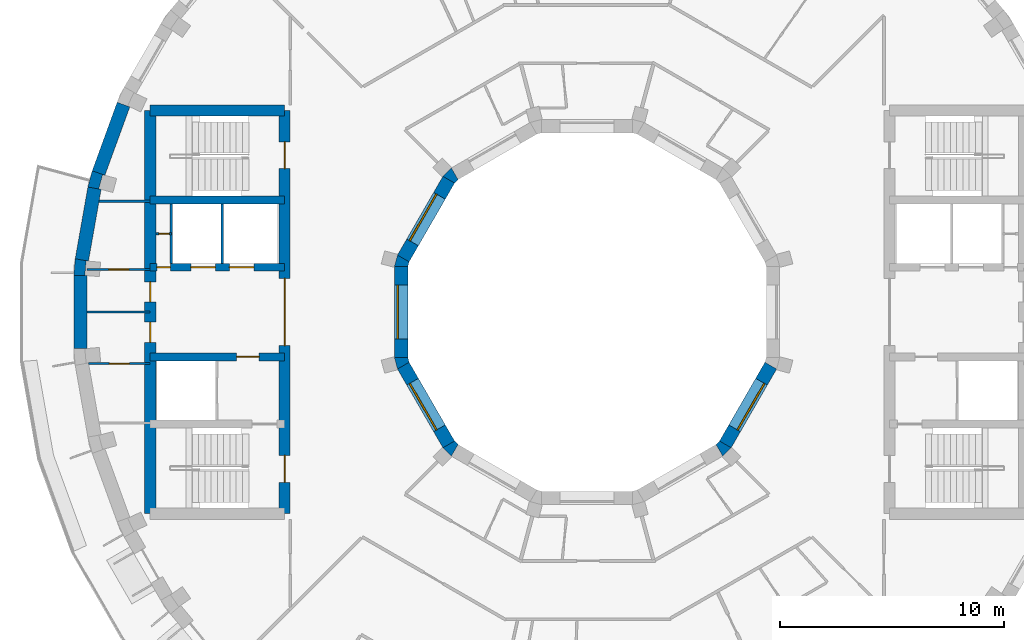
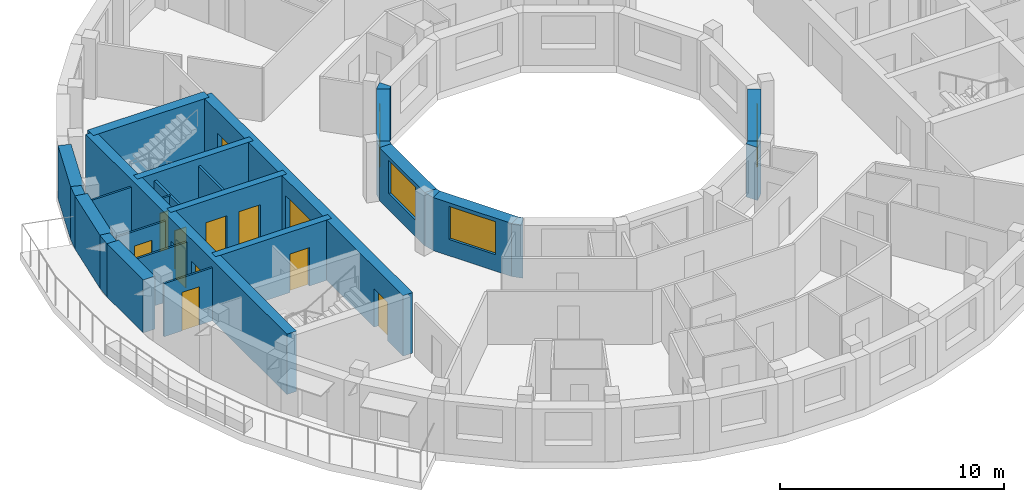
# One storey, part 4 of 10: 27 walls, 12 doors, 4 windows, 16 openings.
"""IFC4 building model written with IfcOpenShell, lengths in metres."""

from ifc_helpers import new_model, si_unit, direction, frame, frame_2d, origin, place, context, subcontext, project, spatial, polyline, rectangle, outline, extrude, material, layer, layer_set, type_object, element, fill, save


model = new_model("IFC4")

# Units and contexts
model_context = context("Model", 3, precision=1e-05, world=origin(), true_north=direction((0.0, 1.0)))
body_context = subcontext(model_context, "Body", "Model", "MODEL_VIEW")
ifc_project = project(units=[si_unit("LENGTHUNIT", "METRE"), si_unit("AREAUNIT", "SQUARE_METRE"), si_unit("VOLUMEUNIT", "CUBIC_METRE"), si_unit("PLANEANGLEUNIT", "RADIAN"), si_unit("MASSUNIT", "GRAM", prefix="KILO")], contexts=[model_context])

# Site, building, storey
site_placement = place(None, origin())
site = spatial("IfcSite", under=ifc_project, at=site_placement, CompositionType="ELEMENT")
building_placement = place(site_placement, origin())
building = spatial("IfcBuilding", under=site, at=building_placement, Name="Saqina Gate Tower", CompositionType="ELEMENT")
storey_placement = place(building_placement, frame((0.0, 0.0, 249.5)))
storey = spatial("IfcBuildingStorey", under=building, at=storey_placement, Name="L71", CompositionType="ELEMENT", Elevation=249.5)

# Walls
ifc_material_1 = material(Name="Brick masonry (buff)", Category="masonry")
wall_type_1 = type_object("IfcWallType", Name="BRICK PIER COPING BUFF", PredefinedType="SOLIDWALL", material=ifc_material_1)
wall_1_placement = place(storey_placement, origin())
element("IfcWall", 1, at=wall_1_placement, inside=storey, type_object=wall_type_1, Name="Pier cap L71 column 17", PredefinedType="SOLIDWALL", context=body_context, shape_type="SweptSolid", body=[
    extrude(outline(polyline([(-22.281982421875, 5.579833984375), (-21.691162109375, 5.4755859375), (-21.793212890625, 5.5029296875), (-21.625, 6.130859375), (-21.52294921875, 6.103515625), (-22.0869140625, 6.30859375), (-22.281982421875, 5.579833984375)])), origin(), (0.0, 0.0, 1.0), 2.89990234375),
])
wall_2_placement = place(storey_placement, origin())
element("IfcWall", 2, at=wall_2_placement, inside=storey, type_object=wall_type_1, Name="Pier cap L71 column 18", PredefinedType="SOLIDWALL", context=body_context, shape_type="SweptSolid", body=[
    extrude(outline(polyline([(-22.8466796875, 2.377685546875), (-22.91259765625, 1.625732421875), (-22.3125, 1.625732421875), (-22.417724609375, 1.635009765625), (-22.361083984375, 2.28271484375), (-22.255859375, 2.2734375), (-22.8466796875, 2.377685546875)])), origin(), (0.0, 0.0, 1.0), 2.89990234375),
])

# Wall, opening, door
ifc_material_2 = material(Name="Gypsum board on steel studs", Category="steel")
ifc_layer_1 = layer(ifc_material_2, 0.10009765625)
ifc_layer_set_1 = layer_set([ifc_layer_1], Name="CORE PARTITION")
wall_type_2 = type_object("IfcWallType", Name="CORE PARTITION", PredefinedType="PARTITIONING", material=ifc_layer_set_1)
wall_3_placement = place(storey_placement, frame((-18.56005859375, 3.5, 0.0), z_axis=(0.0, 0.0, 1.0), x_axis=(-1.0, 0.0, 0.0)))
wall_3 = element("IfcWall", 3, at=wall_3_placement, inside=storey, type_object=wall_type_2, Name="L71-CP-W01", PredefinedType="PARTITIONING", context=body_context, shape_type="SweptSolid", body=[
    extrude(rectangle(XDim=0.68994140625, YDim=0.10009765625, at=frame_2d((0.344970703125, 0.0))), origin(), (0.0, 0.0, 1.0), 2.89990234375),
])
opening_1_placement = place(wall_3_placement, frame((0.10009765625, 0.0, 0.0)))
opening_1 = element("IfcOpeningElement", 4, at=opening_1_placement, cuts=wall_3, Name="Opening G21-D107", PredefinedType="OPENING", context=body_context, shape_type="SweptSolid", body=[
    extrude(rectangle(XDim=0.449951171875, YDim=2.10009765625, at=frame_2d((0.22509765625, 1.050048828125))), frame((0.0, 0.06201171875, 0.0), z_axis=(0.0, -1.0, 0.0), x_axis=(1.0, 0.0, 0.0)), (0.0, 0.0, 1.0), 0.1240234375),
])
ifc_material_3 = material(Name="Steel-framed fire door leaf, EI 60", Category="steel")
door_type_1 = type_object("IfcDoorType", Name="SERVICE ROOM DOOR 450", OperationType="SINGLE_SWING_LEFT", PredefinedType="DOOR", material=ifc_material_3)
door_1_placement = place(opening_1_placement, origin())
door_1 = element("IfcDoor", 5, at=door_1_placement, inside=storey, type_object=door_type_1, Name="L71-CD-W18", OperationType="SINGLE_SWING_RIGHT", OverallHeight=2.10009765625, OverallWidth=0.449951171875, PredefinedType="DOOR", context=body_context, shape_type="SweptSolid", body=[
    extrude(rectangle(XDim=0.449951171875, YDim=2.10009765625, at=frame_2d((0.22509765625, 1.050048828125))), frame((0.0, 0.02490234375, 0.0), z_axis=(0.0, -1.0, 0.0), x_axis=(1.0, 0.0, 0.0)), (0.0, 0.0, 1.0), 0.050048828125),
])
fill(opening_1, door_1)

# Wall
wall_4_placement = place(storey_placement, frame((-19.5, 4.949951171875, 0.0), z_axis=(0.0, 0.0, 1.0), x_axis=(-1.0, 0.0, 0.0)))
element("IfcWall", 6, at=wall_4_placement, inside=storey, type_object=wall_type_2, Name="L71-CP-W02", PredefinedType="PARTITIONING", context=body_context, shape_type="SweptSolid", body=[
    extrude(rectangle(XDim=2.283935546875, YDim=0.10009765625, at=frame_2d((1.14208984375, 0.0))), origin(), (0.0, 0.0, 1.0), 2.89990234375),
])

# Wall, opening, door
wall_5_placement = place(storey_placement, frame((-19.5, 1.89990234375, 0.0), z_axis=(0.0, 0.0, 1.0), x_axis=(-1.0, 0.0, 0.0)))
wall_5 = element("IfcWall", 7, at=wall_5_placement, inside=storey, type_object=wall_type_2, Name="L71-CP-W03", PredefinedType="PARTITIONING", context=body_context, shape_type="SweptSolid", body=[
    extrude(rectangle(XDim=2.8125, YDim=0.10009765625, at=frame_2d((1.40625, 0.0))), origin(), (0.0, 0.0, 1.0), 2.89990234375),
])
opening_2_placement = place(wall_5_placement, frame((0.956298828125, 0.0, 0.0)))
opening_2 = element("IfcOpeningElement", 8, at=opening_2_placement, cuts=wall_5, Name="Opening G21-D103", PredefinedType="OPENING", context=body_context, shape_type="SweptSolid", body=[
    extrude(rectangle(XDim=0.89990234375, YDim=2.10009765625, at=frame_2d((0.449951171875, 1.050048828125))), frame((0.0, 0.06201171875, 0.0), z_axis=(0.0, -1.0, 0.0), x_axis=(1.0, 0.0, 0.0)), (0.0, 0.0, 1.0), 0.1240234375),
])
ifc_material_4 = material(Name="Steel-framed fire door leaf, EI 60", Category="steel")
door_type_2 = type_object("IfcDoorType", Name="SERVICE ROOM DOOR 900", OperationType="SINGLE_SWING_LEFT", PredefinedType="DOOR", material=ifc_material_4)
door_2_placement = place(opening_2_placement, frame((0.89990234375, 0.0, 0.0), z_axis=(0.0, 0.0, 1.0), x_axis=(-1.0, 0.0, 0.0)))
door_2 = element("IfcDoor", 9, at=door_2_placement, inside=storey, type_object=door_type_2, Name="L71-CD-W14", OperationType="SINGLE_SWING_LEFT", OverallHeight=2.10009765625, OverallWidth=0.89990234375, PredefinedType="DOOR", context=body_context, shape_type="SweptSolid", body=[
    extrude(rectangle(XDim=0.89990234375, YDim=2.10009765625, at=frame_2d((0.449951171875, 1.050048828125))), frame((0.0, 0.02490234375, 0.0), z_axis=(0.0, -1.0, 0.0), x_axis=(1.0, 0.0, 0.0)), (0.0, 0.0, 1.0), 0.050048828125),
])
fill(opening_2, door_2)

wall_6_placement = place(storey_placement, frame((-19.5, -2.300048828125, 0.0), z_axis=(0.0, 0.0, 1.0), x_axis=(-1.0, 0.0, 0.0)))
wall_6 = element("IfcWall", 10, at=wall_6_placement, inside=storey, type_object=wall_type_2, Name="L71-CP-W05", PredefinedType="PARTITIONING", context=body_context, shape_type="SweptSolid", body=[
    extrude(rectangle(XDim=2.751220703125, YDim=0.10009765625, at=frame_2d((1.37548828125, 0.0))), origin(), (0.0, 0.0, 1.0), 2.89990234375),
])
opening_3_placement = place(wall_6_placement, frame((0.925537109375, 0.0, 0.0)))
opening_3 = element("IfcOpeningElement", 11, at=opening_3_placement, cuts=wall_6, Name="Opening G21-D105", PredefinedType="OPENING", context=body_context, shape_type="SweptSolid", body=[
    extrude(rectangle(XDim=0.89990234375, YDim=2.10009765625, at=frame_2d((0.449951171875, 1.050048828125))), frame((0.0, 0.06201171875, 0.0), z_axis=(0.0, -1.0, 0.0), x_axis=(1.0, 0.0, 0.0)), (0.0, 0.0, 1.0), 0.1240234375),
])
door_3_placement = place(opening_3_placement, origin())
door_3 = element("IfcDoor", 12, at=door_3_placement, inside=storey, type_object=door_type_2, Name="L71-CD-W16", OperationType="SINGLE_SWING_LEFT", OverallHeight=2.10009765625, OverallWidth=0.89990234375, PredefinedType="DOOR", context=body_context, shape_type="SweptSolid", body=[
    extrude(rectangle(XDim=0.89990234375, YDim=2.10009765625, at=frame_2d((0.449951171875, 1.050048828125))), frame((0.0, 0.02490234375, 0.0), z_axis=(0.0, -1.0, 0.0), x_axis=(1.0, 0.0, 0.0)), (0.0, 0.0, 1.0), 0.050048828125),
])
fill(opening_3, door_3)

# Walls
wall_7_placement = place(storey_placement, frame((-19.5, 0.0, 0.0), z_axis=(0.0, 0.0, 1.0), x_axis=(-1.0, 0.0, 0.0)))
element("IfcWall", 13, at=wall_7_placement, inside=storey, type_object=wall_type_2, Name="L71-CP-W06", PredefinedType="PARTITIONING", context=body_context, shape_type="SweptSolid", body=[
    extrude(rectangle(XDim=2.8125, YDim=0.10009765625, at=frame_2d((1.40625, 0.0))), origin(), (0.0, 0.0, 1.0), 2.89990234375),
])
ifc_material_5 = material(Name="Glazed ceramic tile", Category="ceramic")
ifc_layer_2 = layer(ifc_material_5, 0.60009765625)
ifc_layer_set_2 = layer_set([ifc_layer_2], Name="FW-TILE")
wall_type_3 = type_object("IfcWallType", Name="FW-TILE", PredefinedType="SOLIDWALL", material=ifc_layer_set_2)
wall_8_placement = place(storey_placement, frame((-20.692626953125, 9.26171875, 0.0), z_axis=(0.0, 0.0, 1.0), x_axis=(-0.342056509473, -0.939679383794, 0.0)))
element("IfcWall", 14, at=wall_8_placement, inside=storey, type_object=wall_type_3, Name="Facade wall L71 facet 16", PredefinedType="SOLIDWALL", context=body_context, shape_type="SweptSolid", body=[
    extrude(rectangle(XDim=3.251708984375, YDim=0.60009765625, at=frame_2d((1.6259765625, 0.0))), origin(), (0.0, 0.0, 1.0), 2.89990234375),
])
wall_9_placement = place(storey_placement, frame((-22.612548828125, 1.625732421875, 0.0), z_axis=(0.0, 0.0, 1.0), x_axis=(0.0, -1.0, 0.0)))
element("IfcWall", 15, at=wall_9_placement, inside=storey, type_object=wall_type_3, Name="Facade wall L71 facet 18", PredefinedType="SOLIDWALL", context=body_context, shape_type="SweptSolid", body=[
    extrude(rectangle(XDim=3.25146484375, YDim=0.60009765625, at=frame_2d((1.625732421875, 0.0))), origin(), (0.0, 0.0, 1.0), 2.89990234375),
])
ifc_material_6 = material(Name="Glazed ceramic tile (white)", Category="ceramic")
ifc_layer_3 = layer(ifc_material_6, 0.60009765625)
ifc_layer_set_3 = layer_set([ifc_layer_3], Name="FW-TILE-WH")
wall_type_4 = type_object("IfcWallType", Name="FW-TILE-WH", PredefinedType="SOLIDWALL", material=ifc_layer_set_3)
wall_10_placement = place(storey_placement, frame((-21.986572265625, 5.52783203125, 0.0), z_axis=(0.0, 0.0, 1.0), x_axis=(-0.173656842178, -0.984806225186, 0.0)))
element("IfcWall", 16, at=wall_10_placement, inside=storey, type_object=wall_type_4, Name="Facade wall L71 facet 17", PredefinedType="SOLIDWALL", context=body_context, shape_type="SweptSolid", body=[
    extrude(rectangle(XDim=3.251708984375, YDim=0.60009765625, at=frame_2d((1.6259765625, 0.0))), origin(), (0.0, 0.0, 1.0), 2.89990234375),
])

# Wall, opening, window
ifc_material_7 = material(Name="Glazed ceramic tile", Category="ceramic")
ifc_layer_4 = layer(ifc_material_7, 0.60009765625)
ifc_layer_set_4 = layer_set([ifc_layer_4], Name="IW-TILE")
wall_type_5 = type_object("IfcWallType", Name="IW-TILE", PredefinedType="SOLIDWALL", material=ifc_layer_set_4)
wall_11_placement = place(storey_placement, frame((-6.17333984375, 5.907470703125, 0.0), z_axis=(0.0, 0.0, 1.0), x_axis=(-0.499994954979, -0.866028316509, 0.0)))
wall_11 = element("IfcWall", 17, at=wall_11_placement, inside=storey, type_object=wall_type_5, Name="Well wall L71 facet 5", PredefinedType="SOLIDWALL", context=body_context, shape_type="SweptSolid", body=[
    extrude(rectangle(XDim=4.05859375, YDim=0.60009765625, at=frame_2d((2.029296875, 0.0))), origin(), (0.0, 0.0, 1.0), 2.89990234375),
])
opening_4_placement = place(wall_11_placement, frame((0.829345703125, 0.0, 0.89990234375)))
opening_4 = element("IfcOpeningElement", 18, at=opening_4_placement, cuts=wall_11, Name="Opening G21-W29", PredefinedType="OPENING", context=body_context, shape_type="SweptSolid", body=[
    extrude(rectangle(XDim=2.39990234375, YDim=1.800048828125, at=frame_2d((1.199951171875, 0.89990234375))), frame((0.0, 0.31201171875, 0.0), z_axis=(0.0, -1.0, 0.0), x_axis=(1.0, 0.0, 0.0)), (0.0, 0.0, 1.0), 0.6240234375),
])
ifc_material_8 = material(Name="Aluminium glazing", Category="aluminium")
window_type = type_object("IfcWindowType", Name="WN-W", PartitioningType="SINGLE_PANEL", PredefinedType="WINDOW", material=ifc_material_8)
window_1_placement = place(opening_4_placement, origin())
window_1 = element("IfcWindow", 19, at=window_1_placement, inside=storey, type_object=window_type, Name="Well window L71 facet 5", OverallHeight=1.800048828125, OverallWidth=2.39990234375, PartitioningType="SINGLE_PANEL", PredefinedType="WINDOW", context=body_context, shape_type="SweptSolid", body=[
    extrude(rectangle(XDim=2.39990234375, YDim=1.800048828125, at=frame_2d((1.199951171875, 0.89990234375))), frame((0.0, -0.119873046875, 0.0), z_axis=(0.0, -1.0, 0.0), x_axis=(1.0, 0.0, 0.0)), (0.0, 0.0, 1.0), 0.06005859375),
])
fill(opening_4, window_1)

wall_12_placement = place(storey_placement, frame((-8.300048828125, 2.029296875, 0.0), z_axis=(0.0, 0.0, 1.0), x_axis=(0.0, -1.0, 0.0)))
wall_12 = element("IfcWall", 20, at=wall_12_placement, inside=storey, type_object=wall_type_5, Name="Well wall L71 facet 6", PredefinedType="SOLIDWALL", context=body_context, shape_type="SweptSolid", body=[
    extrude(rectangle(XDim=4.05859375, YDim=0.60009765625, at=frame_2d((2.029296875, 0.0))), origin(), (0.0, 0.0, 1.0), 2.89990234375),
])
opening_5_placement = place(wall_12_placement, frame((0.829345703125, 0.0, 0.89990234375)))
opening_5 = element("IfcOpeningElement", 21, at=opening_5_placement, cuts=wall_12, Name="Opening G21-W30", PredefinedType="OPENING", context=body_context, shape_type="SweptSolid", body=[
    extrude(rectangle(XDim=2.39990234375, YDim=1.800048828125, at=frame_2d((1.199951171875, 0.89990234375))), frame((0.0, 0.31201171875, 0.0), z_axis=(0.0, -1.0, 0.0), x_axis=(1.0, 0.0, 0.0)), (0.0, 0.0, 1.0), 0.6240234375),
])
window_2_placement = place(opening_5_placement, origin())
window_2 = element("IfcWindow", 22, at=window_2_placement, inside=storey, type_object=window_type, Name="Well window L71 facet 6", OverallHeight=1.800048828125, OverallWidth=2.39990234375, PartitioningType="SINGLE_PANEL", PredefinedType="WINDOW", context=body_context, shape_type="SweptSolid", body=[
    extrude(rectangle(XDim=2.39990234375, YDim=1.800048828125, at=frame_2d((1.199951171875, 0.89990234375))), frame((0.0, -0.119873046875, 0.0), z_axis=(0.0, -1.0, 0.0), x_axis=(1.0, 0.0, 0.0)), (0.0, 0.0, 1.0), 0.06005859375),
])
fill(opening_5, window_2)

wall_13_placement = place(storey_placement, frame((-8.20263671875, -2.392578125, 0.0), z_axis=(0.0, 0.0, 1.0), x_axis=(0.499994954979, -0.866028316509, 0.0)))
wall_13 = element("IfcWall", 23, at=wall_13_placement, inside=storey, type_object=wall_type_5, Name="Well wall L71 facet 7", PredefinedType="SOLIDWALL", context=body_context, shape_type="SweptSolid", body=[
    extrude(rectangle(XDim=4.05859375, YDim=0.60009765625, at=frame_2d((2.029296875, 0.0))), origin(), (0.0, 0.0, 1.0), 2.89990234375),
])
opening_6_placement = place(wall_13_placement, frame((0.829345703125, 0.0, 0.89990234375)))
opening_6 = element("IfcOpeningElement", 24, at=opening_6_placement, cuts=wall_13, Name="Opening G21-W31", PredefinedType="OPENING", context=body_context, shape_type="SweptSolid", body=[
    extrude(rectangle(XDim=2.39990234375, YDim=1.800048828125, at=frame_2d((1.199951171875, 0.89990234375))), frame((0.0, 0.31201171875, 0.0), z_axis=(0.0, -1.0, 0.0), x_axis=(1.0, 0.0, 0.0)), (0.0, 0.0, 1.0), 0.6240234375),
])
window_3_placement = place(opening_6_placement, origin())
window_3 = element("IfcWindow", 25, at=window_3_placement, inside=storey, type_object=window_type, Name="Well window L71 facet 7", OverallHeight=1.800048828125, OverallWidth=2.39990234375, PartitioningType="SINGLE_PANEL", PredefinedType="WINDOW", context=body_context, shape_type="SweptSolid", body=[
    extrude(rectangle(XDim=2.39990234375, YDim=1.800048828125, at=frame_2d((1.199951171875, 0.89990234375))), frame((0.0, -0.119873046875, 0.0), z_axis=(0.0, -1.0, 0.0), x_axis=(1.0, 0.0, 0.0)), (0.0, 0.0, 1.0), 0.06005859375),
])
fill(opening_6, window_3)

wall_14_placement = place(storey_placement, frame((6.17333984375, -5.907470703125, 0.0), z_axis=(0.0, 0.0, 1.0), x_axis=(0.499994954979, 0.866028316509, 0.0)))
wall_14 = element("IfcWall", 26, at=wall_14_placement, inside=storey, type_object=wall_type_5, Name="Well wall L71 facet 11", PredefinedType="SOLIDWALL", context=body_context, shape_type="SweptSolid", body=[
    extrude(rectangle(XDim=4.05859375, YDim=0.60009765625, at=frame_2d((2.029296875, 0.0))), origin(), (0.0, 0.0, 1.0), 2.89990234375),
])
opening_7_placement = place(wall_14_placement, frame((0.829345703125, 0.0, 0.89990234375)))
opening_7 = element("IfcOpeningElement", 27, at=opening_7_placement, cuts=wall_14, Name="Opening G21-W35", PredefinedType="OPENING", context=body_context, shape_type="SweptSolid", body=[
    extrude(rectangle(XDim=2.39990234375, YDim=1.800048828125, at=frame_2d((1.199951171875, 0.89990234375))), frame((0.0, 0.31201171875, 0.0), z_axis=(0.0, -1.0, 0.0), x_axis=(1.0, 0.0, 0.0)), (0.0, 0.0, 1.0), 0.6240234375),
])
window_4_placement = place(opening_7_placement, origin())
window_4 = element("IfcWindow", 28, at=window_4_placement, inside=storey, type_object=window_type, Name="Well window L71 facet 11", OverallHeight=1.800048828125, OverallWidth=2.39990234375, PartitioningType="SINGLE_PANEL", PredefinedType="WINDOW", context=body_context, shape_type="SweptSolid", body=[
    extrude(rectangle(XDim=2.39990234375, YDim=1.800048828125, at=frame_2d((1.199951171875, 0.89990234375))), frame((0.0, -0.119873046875, 0.0), z_axis=(0.0, -1.0, 0.0), x_axis=(1.0, 0.0, 0.0)), (0.0, 0.0, 1.0), 0.06005859375),
])
fill(opening_7, window_4)

# Walls
ifc_material_9 = material(Name="Autoclaved aerated concrete block", Category="concrete")
ifc_layer_5 = layer(ifc_material_9, 0.1201171875)
ifc_layer_set_5 = layer_set([ifc_layer_5], Name="SHAFT PARTITION")
wall_type_6 = type_object("IfcWallType", Name="SHAFT PARTITION", PredefinedType="PARTITIONING", material=ifc_layer_set_5)
for number, where, z_axis, x_axis, name in (
    (29, (-16.280029296875, 2.175048828125, 0.0), (0.0, 0.0, 1.0), (0.0, 1.0, 0.0), "L71-CP-W07"),
    (30, (-18.56005859375, 2.175048828125, 0.0), (0.0, 0.0, 1.0), (0.0, 1.0, 0.0), "L71-CP-W08"),
):
    element("IfcWall", number, at=place(storey_placement, frame(where, z_axis=z_axis, x_axis=x_axis)), inside=storey, type_object=wall_type_6, Name=name, PredefinedType="PARTITIONING", context=body_context, shape_type="SweptSolid", body=[
        extrude(rectangle(XDim=2.64990234375, YDim=0.1201171875, at=frame_2d((1.324951171875, 0.0))), origin(), (0.0, 0.0, 1.0), 2.89990234375),
    ])
ifc_material_10 = material(Name="Concrete C60/75", Category="concrete")
ifc_layer_6 = layer(ifc_material_10, 0.35009765625)
ifc_layer_set_6 = layer_set([ifc_layer_6], Name="Concrete C60/75")
wall_type_7 = type_object("IfcWallType", Name="STR-CORE WALL-D-I", PredefinedType="SHEAR", material=ifc_layer_set_6)
wall_15_placement = place(storey_placement, frame((-13.5, 5.0, 0.0), z_axis=(0.0, 0.0, 1.0), x_axis=(-1.0, 0.0, 0.0)))
element("IfcWall", 31, at=wall_15_placement, inside=storey, type_object=wall_type_7, Name="CORE WALL L71 W-X1", PredefinedType="SHEAR", context=body_context, shape_type="SweptSolid", body=[
    extrude(rectangle(XDim=6.0, YDim=0.35009765625, at=frame_2d((3.0, 0.0))), origin(), (0.0, 0.0, 1.0), 3.300048828125),
])

# Wall, openings, doors
wall_16_placement = place(storey_placement, frame((-13.5, 2.0, 0.0), z_axis=(0.0, 0.0, 1.0), x_axis=(-1.0, 0.0, 0.0)))
wall_16 = element("IfcWall", 32, at=wall_16_placement, inside=storey, type_object=wall_type_7, Name="CORE WALL L71 W-L1", PredefinedType="SHEAR", context=body_context, shape_type="SweptSolid", body=[
    extrude(rectangle(XDim=6.0, YDim=0.35009765625, at=frame_2d((3.0, 0.0))), origin(), (0.0, 0.0, 1.0), 3.300048828125),
])
opening_8_placement = place(wall_16_placement, frame((1.3701171875, 0.0, 0.0)))
opening_8 = element("IfcOpeningElement", 33, at=opening_8_placement, cuts=wall_16, Name="Opening G21-LD4", PredefinedType="OPENING", context=body_context, shape_type="SweptSolid", body=[
    extrude(rectangle(XDim=1.10009765625, YDim=2.10009765625, at=frame_2d((0.550048828125, 1.050048828125))), frame((0.0, 0.18701171875, 0.0), z_axis=(0.0, -1.0, 0.0), x_axis=(1.0, 0.0, 0.0)), (0.0, 0.0, 1.0), 0.3740234375),
])
opening_9_placement = place(wall_16_placement, frame((3.090087890625, 0.0, 0.0)))
opening_9 = element("IfcOpeningElement", 34, at=opening_9_placement, cuts=wall_16, Name="Opening G21-LD5", PredefinedType="OPENING", context=body_context, shape_type="SweptSolid", body=[
    extrude(rectangle(XDim=1.10009765625, YDim=2.10009765625, at=frame_2d((0.550048828125, 1.050048828125))), frame((0.0, 0.18701171875, 0.0), z_axis=(0.0, -1.0, 0.0), x_axis=(1.0, 0.0, 0.0)), (0.0, 0.0, 1.0), 0.3740234375),
])
opening_10_placement = place(wall_16_placement, frame((5.10498046875, 0.0, 0.0)))
opening_10 = element("IfcOpeningElement", 35, at=opening_10_placement, cuts=wall_16, Name="Opening G21-D101", PredefinedType="OPENING", context=body_context, shape_type="SweptSolid", body=[
    extrude(rectangle(XDim=0.60009765625, YDim=2.10009765625, at=frame_2d((0.300048828125, 1.050048828125))), frame((0.0, 0.18701171875, 0.0), z_axis=(0.0, -1.0, 0.0), x_axis=(1.0, 0.0, 0.0)), (0.0, 0.0, 1.0), 0.3740234375),
])
ifc_material_11 = material(Name="Stainless steel", Category="steel")
door_type_3 = type_object("IfcDoorType", Name="LANDING DOOR", OperationType="DOUBLE_DOOR_SLIDING", PredefinedType="DOOR", material=ifc_material_11)
door_4_placement = place(opening_8_placement, origin())
door_4 = element("IfcDoor", 36, at=door_4_placement, inside=storey, type_object=door_type_3, Name="LANDING DOOR HR3", OperationType="DOUBLE_DOOR_SLIDING", OverallHeight=2.10009765625, OverallWidth=1.10009765625, PredefinedType="DOOR", context=body_context, shape_type="SweptSolid", body=[
    extrude(rectangle(XDim=1.10009765625, YDim=2.10009765625, at=frame_2d((0.550048828125, 1.050048828125))), frame((0.0, 0.02490234375, 0.0), z_axis=(0.0, -1.0, 0.0), x_axis=(1.0, 0.0, 0.0)), (0.0, 0.0, 1.0), 0.050048828125),
])
fill(opening_8, door_4)
door_5_placement = place(opening_9_placement, origin())
door_5 = element("IfcDoor", 37, at=door_5_placement, inside=storey, type_object=door_type_3, Name="LANDING DOOR HR4", OperationType="DOUBLE_DOOR_SLIDING", OverallHeight=2.10009765625, OverallWidth=1.10009765625, PredefinedType="DOOR", context=body_context, shape_type="SweptSolid", body=[
    extrude(rectangle(XDim=1.10009765625, YDim=2.10009765625, at=frame_2d((0.550048828125, 1.050048828125))), frame((0.0, 0.02490234375, 0.0), z_axis=(0.0, -1.0, 0.0), x_axis=(1.0, 0.0, 0.0)), (0.0, 0.0, 1.0), 0.050048828125),
])
fill(opening_9, door_5)
ifc_material_12 = material(Name="Steel-framed fire door leaf, EI 60", Category="steel")
door_type_4 = type_object("IfcDoorType", Name="SERVICE ROOM DOOR 600", OperationType="SINGLE_SWING_LEFT", PredefinedType="DOOR", material=ifc_material_12)
door_6_placement = place(opening_10_placement, frame((0.60009765625, 0.0, 0.0), z_axis=(0.0, 0.0, 1.0), x_axis=(-1.0, 0.0, 0.0)))
door_6 = element("IfcDoor", 38, at=door_6_placement, inside=storey, type_object=door_type_4, Name="L71-CD-W12", OperationType="SINGLE_SWING_LEFT", OverallHeight=2.10009765625, OverallWidth=0.60009765625, PredefinedType="DOOR", context=body_context, shape_type="SweptSolid", body=[
    extrude(rectangle(XDim=0.60009765625, YDim=2.10009765625, at=frame_2d((0.300048828125, 1.050048828125))), frame((0.0, 0.02490234375, 0.0), z_axis=(0.0, -1.0, 0.0), x_axis=(1.0, 0.0, 0.0)), (0.0, 0.0, 1.0), 0.050048828125),
])
fill(opening_10, door_6)

# Wall, opening, door
wall_17_placement = place(storey_placement, frame((-13.5, -2.0, 0.0), z_axis=(0.0, 0.0, 1.0), x_axis=(-1.0, 0.0, 0.0)))
wall_17 = element("IfcWall", 39, at=wall_17_placement, inside=storey, type_object=wall_type_7, Name="CORE WALL L71 W-L2", PredefinedType="SHEAR", context=body_context, shape_type="SweptSolid", body=[
    extrude(rectangle(XDim=6.0, YDim=0.35009765625, at=frame_2d((3.0, 0.0))), origin(), (0.0, 0.0, 1.0), 3.300048828125),
])
opening_11_placement = place(wall_17_placement, frame((1.139892578125, 0.0, 0.0)))
opening_11 = element("IfcOpeningElement", 40, at=opening_11_placement, cuts=wall_17, Name="Opening G21-D102", PredefinedType="OPENING", context=body_context, shape_type="SweptSolid", body=[
    extrude(rectangle(XDim=1.0, YDim=2.10009765625, at=frame_2d((0.5, 1.050048828125))), frame((0.0, 0.18701171875, 0.0), z_axis=(0.0, -1.0, 0.0), x_axis=(1.0, 0.0, 0.0)), (0.0, 0.0, 1.0), 0.3740234375),
])
ifc_material_13 = material(Name="Steel", Category="steel")
door_type_5 = type_object("IfcDoorType", Name="FIRE LOBBY DOOR EI 60", OperationType="SINGLE_SWING_LEFT", PredefinedType="DOOR", material=ifc_material_13)
door_7_placement = place(opening_11_placement, frame((1.0, 0.0, 0.0), z_axis=(0.0, 0.0, 1.0), x_axis=(-1.0, 0.0, 0.0)))
door_7 = element("IfcDoor", 41, at=door_7_placement, inside=storey, type_object=door_type_5, Name="L71-CD-W13", OperationType="SINGLE_SWING_RIGHT", OverallHeight=2.10009765625, OverallWidth=1.0, PredefinedType="DOOR", context=body_context, shape_type="SweptSolid", body=[
    extrude(rectangle(XDim=1.0, YDim=2.10009765625, at=frame_2d((0.5, 1.050048828125))), frame((0.0, 0.02490234375, 0.0), z_axis=(0.0, -1.0, 0.0), x_axis=(1.0, 0.0, 0.0)), (0.0, 0.0, 1.0), 0.050048828125),
])
fill(opening_11, door_7)

# Wall, openings, doors
ifc_material_14 = material(Name="Concrete C60/75", Category="concrete")
ifc_layer_7 = layer(ifc_material_14, 0.5)
ifc_layer_set_7 = layer_set([ifc_layer_7], Name="Concrete C60/75")
wall_type_8 = type_object("IfcWallType", Name="STR-CORE WALL-D-O", PredefinedType="SHEAR", material=ifc_layer_set_7)
wall_18_placement = place(storey_placement, frame((-13.5, -9.0, 0.0), z_axis=(0.0, 0.0, 1.0), x_axis=(0.0, 1.0, 0.0)))
wall_18 = element("IfcWall", 42, at=wall_18_placement, inside=storey, type_object=wall_type_8, Name="CORE WALL L71 W-W1", PredefinedType="SHEAR", context=body_context, shape_type="SweptSolid", body=[
    extrude(rectangle(XDim=18.0, YDim=0.5, at=frame_2d((9.0, 0.0))), origin(), (0.0, 0.0, 1.0), 3.300048828125),
])
opening_12_placement = place(wall_18_placement, frame((15.39990234375, 0.0, 0.0)))
opening_12 = element("IfcOpeningElement", 43, at=opening_12_placement, cuts=wall_18, Name="Opening G21-D109", PredefinedType="OPENING", context=body_context, shape_type="SweptSolid", body=[
    extrude(rectangle(XDim=1.199951171875, YDim=2.10009765625, at=frame_2d((0.60009765625, 1.050048828125))), frame((0.0, 0.261962890625, 0.0), z_axis=(0.0, -1.0, 0.0), x_axis=(1.0, 0.0, 0.0)), (0.0, 0.0, 1.0), 0.52392578125),
])
opening_13_placement = place(wall_18_placement, frame((1.39990234375, 0.0, 0.0)))
opening_13 = element("IfcOpeningElement", 44, at=opening_13_placement, cuts=wall_18, Name="Opening G21-D110", PredefinedType="OPENING", context=body_context, shape_type="SweptSolid", body=[
    extrude(rectangle(XDim=1.199951171875, YDim=2.10009765625, at=frame_2d((0.60009765625, 1.050048828125))), frame((0.0, 0.261962890625, 0.0), z_axis=(0.0, -1.0, 0.0), x_axis=(1.0, 0.0, 0.0)), (0.0, 0.0, 1.0), 0.52392578125),
])
opening_14_placement = place(wall_18_placement, frame((7.5, 0.0, 0.0)))
opening_14 = element("IfcOpeningElement", 45, at=opening_14_placement, cuts=wall_18, Name="Opening G21-D111", PredefinedType="OPENING", context=body_context, shape_type="SweptSolid", body=[
    extrude(rectangle(XDim=3.0, YDim=2.39990234375, at=frame_2d((1.5, 1.199951171875))), frame((0.0, 0.261962890625, 0.0), z_axis=(0.0, -1.0, 0.0), x_axis=(1.0, 0.0, 0.0)), (0.0, 0.0, 1.0), 0.52392578125),
])
ifc_material_15 = material(Name="Steel", Category="steel")
door_type_6 = type_object("IfcDoorType", Name="FIRE DOOR EI 60", OperationType="SINGLE_SWING_LEFT", PredefinedType="DOOR", material=ifc_material_15)
door_8_placement = place(opening_12_placement, origin())
door_8 = element("IfcDoor", 46, at=door_8_placement, inside=storey, type_object=door_type_6, Name="L71-CD-W20", OperationType="SINGLE_SWING_RIGHT", OverallHeight=2.10009765625, OverallWidth=1.199951171875, PredefinedType="DOOR", context=body_context, shape_type="SweptSolid", body=[
    extrude(rectangle(XDim=1.199951171875, YDim=2.10009765625, at=frame_2d((0.60009765625, 1.050048828125))), frame((0.0, 0.02490234375, 0.0), z_axis=(0.0, -1.0, 0.0), x_axis=(1.0, 0.0, 0.0)), (0.0, 0.0, 1.0), 0.050048828125),
])
fill(opening_12, door_8)
door_9_placement = place(opening_13_placement, origin())
door_9 = element("IfcDoor", 47, at=door_9_placement, inside=storey, type_object=door_type_6, Name="L71-CD-W21", OperationType="SINGLE_SWING_LEFT", OverallHeight=2.10009765625, OverallWidth=1.199951171875, PredefinedType="DOOR", context=body_context, shape_type="SweptSolid", body=[
    extrude(rectangle(XDim=1.199951171875, YDim=2.10009765625, at=frame_2d((0.60009765625, 1.050048828125))), frame((0.0, 0.02490234375, 0.0), z_axis=(0.0, -1.0, 0.0), x_axis=(1.0, 0.0, 0.0)), (0.0, 0.0, 1.0), 0.050048828125),
])
fill(opening_13, door_9)
ifc_material_16 = material(Name="Steel and fire-resisting glass", Category="steel")
door_type_7 = type_object("IfcDoorType", Name="LOBBY SCREEN DOOR", OperationType="DOUBLE_DOOR_SLIDING", PredefinedType="DOOR", material=ifc_material_16)
door_10_placement = place(opening_14_placement, origin())
door_10 = element("IfcDoor", 48, at=door_10_placement, inside=storey, type_object=door_type_7, Name="L71-CD-W22", OperationType="DOUBLE_DOOR_SLIDING", OverallHeight=2.39990234375, OverallWidth=3.0, PredefinedType="DOOR", context=body_context, shape_type="SweptSolid", body=[
    extrude(rectangle(XDim=3.0, YDim=2.39990234375, at=frame_2d((1.5, 1.199951171875))), frame((0.0, 0.02490234375, 0.0), z_axis=(0.0, -1.0, 0.0), x_axis=(1.0, 0.0, 0.0)), (0.0, 0.0, 1.0), 0.050048828125),
])
fill(opening_14, door_10)

wall_19_placement = place(storey_placement, frame((-19.5, -9.0, 0.0), z_axis=(0.0, 0.0, 1.0), x_axis=(0.0, 1.0, 0.0)))
wall_19 = element("IfcWall", 49, at=wall_19_placement, inside=storey, type_object=wall_type_8, Name="CORE WALL L71 W-W2", PredefinedType="SHEAR", context=body_context, shape_type="SweptSolid", body=[
    extrude(rectangle(XDim=18.0, YDim=0.5, at=frame_2d((9.0, 0.0))), origin(), (0.0, 0.0, 1.0), 3.300048828125),
])
opening_15_placement = place(wall_19_placement, frame((9.449951171875, 0.0, 0.0)))
opening_15 = element("IfcOpeningElement", 50, at=opening_15_placement, cuts=wall_19, Name="Opening G21-D104", PredefinedType="OPENING", context=body_context, shape_type="SweptSolid", body=[
    extrude(rectangle(XDim=0.89990234375, YDim=2.10009765625, at=frame_2d((0.449951171875, 1.050048828125))), frame((0.0, 0.261962890625, 0.0), z_axis=(0.0, -1.0, 0.0), x_axis=(1.0, 0.0, 0.0)), (0.0, 0.0, 1.0), 0.52392578125),
])
opening_16_placement = place(wall_19_placement, frame((7.64990234375, 0.0, 0.0)))
opening_16 = element("IfcOpeningElement", 51, at=opening_16_placement, cuts=wall_19, Name="Opening G21-D106", PredefinedType="OPENING", context=body_context, shape_type="SweptSolid", body=[
    extrude(rectangle(XDim=0.89990234375, YDim=2.10009765625, at=frame_2d((0.449951171875, 1.050048828125))), frame((0.0, 0.261962890625, 0.0), z_axis=(0.0, -1.0, 0.0), x_axis=(1.0, 0.0, 0.0)), (0.0, 0.0, 1.0), 0.52392578125),
])
door_11_placement = place(opening_15_placement, origin())
door_11 = element("IfcDoor", 52, at=door_11_placement, inside=storey, type_object=door_type_2, Name="L71-CD-W15", OperationType="SINGLE_SWING_RIGHT", OverallHeight=2.10009765625, OverallWidth=0.89990234375, PredefinedType="DOOR", context=body_context, shape_type="SweptSolid", body=[
    extrude(rectangle(XDim=0.89990234375, YDim=2.10009765625, at=frame_2d((0.449951171875, 1.050048828125))), frame((0.0, 0.02490234375, 0.0), z_axis=(0.0, -1.0, 0.0), x_axis=(1.0, 0.0, 0.0)), (0.0, 0.0, 1.0), 0.050048828125),
])
fill(opening_15, door_11)
door_12_placement = place(opening_16_placement, origin())
door_12 = element("IfcDoor", 53, at=door_12_placement, inside=storey, type_object=door_type_2, Name="L71-CD-W17", OperationType="SINGLE_SWING_RIGHT", OverallHeight=2.10009765625, OverallWidth=0.89990234375, PredefinedType="DOOR", context=body_context, shape_type="SweptSolid", body=[
    extrude(rectangle(XDim=0.89990234375, YDim=2.10009765625, at=frame_2d((0.449951171875, 1.050048828125))), frame((0.0, 0.02490234375, 0.0), z_axis=(0.0, -1.0, 0.0), x_axis=(1.0, 0.0, 0.0)), (0.0, 0.0, 1.0), 0.050048828125),
])
fill(opening_16, door_12)

# Walls
wall_20_placement = place(storey_placement, frame((-13.5, 9.0, 0.0), z_axis=(0.0, 0.0, 1.0), x_axis=(-1.0, 0.0, 0.0)))
element("IfcWall", 54, at=wall_20_placement, inside=storey, type_object=wall_type_8, Name="CORE WALL L71 W-NE", PredefinedType="SHEAR", context=body_context, shape_type="SweptSolid", body=[
    extrude(rectangle(XDim=6.0, YDim=0.5, at=frame_2d((3.0, 0.0))), origin(), (0.0, 0.0, 1.0), 3.300048828125),
])
ifc_material_17 = material(Name="Glazed ceramic tile", Category="ceramic")
wall_type_9 = type_object("IfcWallType", Name="TILE PIER COPING", PredefinedType="SOLIDWALL", material=ifc_material_17)
wall_21_placement = place(storey_placement, origin())
element("IfcWall", 55, at=wall_21_placement, inside=storey, type_object=wall_type_9, Name="Well pier cap L71 column 5", PredefinedType="SOLIDWALL", context=body_context, shape_type="SweptSolid", body=[
    extrude(outline(polyline([(-6.43310546875, 6.0576171875), (-5.91357421875, 5.757568359375), (-5.757568359375, 5.91357421875), (-6.0576171875, 6.43310546875), (-6.43310546875, 6.0576171875)])), origin(), (0.0, 0.0, 1.0), 2.89990234375),
])
wall_22_placement = place(storey_placement, origin())
element("IfcWall", 56, at=wall_22_placement, inside=storey, type_object=wall_type_9, Name="Well pier cap L71 column 6", PredefinedType="SOLIDWALL", context=body_context, shape_type="SweptSolid", body=[
    extrude(outline(polyline([(-8.60009765625, 2.029296875), (-8.0, 2.029296875), (-7.94287109375, 2.242431640625), (-8.46240234375, 2.54248046875), (-8.60009765625, 2.029296875)])), origin(), (0.0, 0.0, 1.0), 2.89990234375),
])
wall_23_placement = place(storey_placement, origin())
element("IfcWall", 57, at=wall_23_placement, inside=storey, type_object=wall_type_9, Name="Well pier cap L71 column 7", PredefinedType="SOLIDWALL", context=body_context, shape_type="SweptSolid", body=[
    extrude(outline(polyline([(-8.46240234375, -2.54248046875), (-7.94287109375, -2.242431640625), (-8.0, -2.029296875), (-8.60009765625, -2.029296875), (-8.46240234375, -2.54248046875)])), origin(), (0.0, 0.0, 1.0), 2.89990234375),
])
wall_24_placement = place(storey_placement, origin())
element("IfcWall", 58, at=wall_24_placement, inside=storey, type_object=wall_type_9, Name="Well pier cap L71 column 8", PredefinedType="SOLIDWALL", context=body_context, shape_type="SweptSolid", body=[
    extrude(outline(polyline([(-6.0576171875, -6.43310546875), (-5.757568359375, -5.91357421875), (-5.91357421875, -5.757568359375), (-6.43310546875, -6.0576171875), (-6.0576171875, -6.43310546875)])), origin(), (0.0, 0.0, 1.0), 2.89990234375),
])
wall_25_placement = place(storey_placement, origin())
element("IfcWall", 59, at=wall_25_placement, inside=storey, type_object=wall_type_9, Name="Well pier cap L71 column 11", PredefinedType="SOLIDWALL", context=body_context, shape_type="SweptSolid", body=[
    extrude(outline(polyline([(6.43310546875, -6.0576171875), (5.91357421875, -5.757568359375), (5.757568359375, -5.91357421875), (6.0576171875, -6.43310546875), (6.43310546875, -6.0576171875)])), origin(), (0.0, 0.0, 1.0), 2.89990234375),
])

save(model, "model.ifc")
